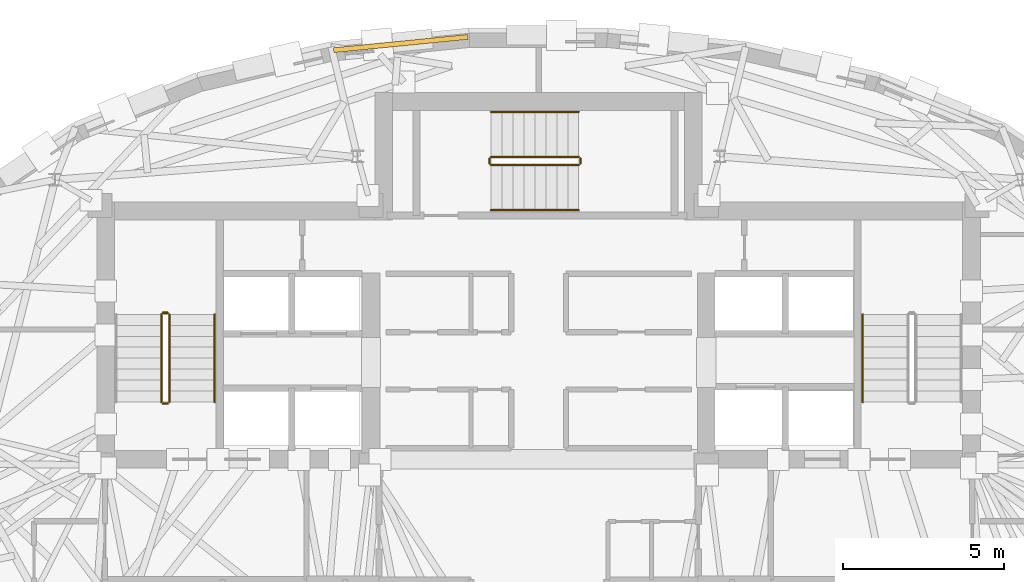
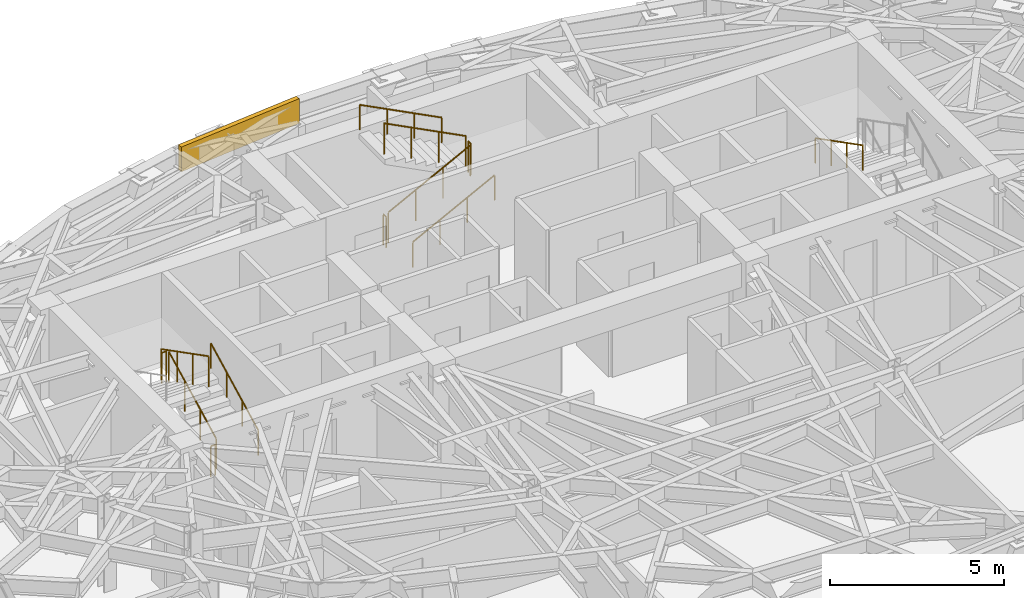
# One storey, part 11 of 12: 12 railings, 1 covering.
"""IFC4 building model written with IfcOpenShell, lengths in metres."""

from ifc_helpers import new_model, si_unit, direction, frame, origin, origin_2d, place, context, subcontext, project, spatial, rectangle, circle, extrude, material, layer, layer_set, type_object, element, save


model = new_model("IFC4")

# Units and contexts
model_context = context("Model", 3, precision=1e-05, world=origin(), true_north=direction((0.0, 1.0)))
body_context = subcontext(model_context, "Body", "Model", "MODEL_VIEW")
ifc_project = project(units=[si_unit("LENGTHUNIT", "METRE"), si_unit("AREAUNIT", "SQUARE_METRE"), si_unit("VOLUMEUNIT", "CUBIC_METRE"), si_unit("PLANEANGLEUNIT", "RADIAN"), si_unit("MASSUNIT", "GRAM", prefix="KILO")], contexts=[model_context])

# Site, building, storey
site_placement = place(None, origin())
site = spatial("IfcSite", under=ifc_project, at=site_placement, CompositionType="ELEMENT")
building_placement = place(site_placement, origin())
building = spatial("IfcBuilding", under=site, at=building_placement, Name="Keldmark Tower", CompositionType="ELEMENT")
storey_placement = place(building_placement, frame((0.0, 0.0, 238.35009765625)))
storey = spatial("IfcBuildingStorey", under=building, at=storey_placement, Name="L67", CompositionType="ELEMENT", Elevation=238.35009765625)

# Covering
ifc_material_1 = material(Name="Honed Kasota Buff Dolomitic Limestone", Category="masonry")
ifc_layer = layer(ifc_material_1, 0.074951171875)
ifc_layer_set = layer_set([ifc_layer], Name="Honed Kasota Buff Dolomitic Limestone")
covering_type = type_object("IfcCoveringType", Name="Kasota Buff Limestone Spandrel Cladding Band", PredefinedType="CLADDING", material=ifc_layer_set)
covering_placement = place(storey_placement, frame((-4.276123046875, 14.467529296875, 2.259765625), z_axis=(0.0, 0.0, 1.0), x_axis=(-0.995131548634, -0.098555572711, 0.0)))
element("IfcCovering", 1, at=covering_placement, inside=storey, type_object=covering_type, Name="L67 Kasota Limestone Spandrel Band 09", PredefinedType="CLADDING", context=body_context, shape_type="SweptSolid", body=[
    extrude(rectangle(XDim=4.17919921875, YDim=0.14990234375, at=origin_2d()), origin(), (0.0, 0.0, 1.0), 0.8701171875),
])

# Railings
ifc_material_2 = material(Name="Painted Steel ASTM A500 Grade B", Category="steel")
railing_type_1 = type_object("IfcRailingType", Name="Painted Steel Stair Well Guard 1100 mm", PredefinedType="GUARDRAIL", material=ifc_material_2)
railing_1_placement = place(storey_placement, frame((-11.449951171875, 3.35009765625, 0.1748046875)))
element("IfcRailing", 2, at=railing_1_placement, inside=storey, type_object=railing_type_1, Name="L67 ST1 stair guard 1", PredefinedType="GUARDRAIL", context=body_context, shape_type="SweptSolid", body=[
    extrude(circle(Radius=0.02392578125, at=origin_2d()), frame((0.0, 0.0, 1.076171875), z_axis=(0.0, 0.889114319608, 0.457685182924), x_axis=(-1.0, 0.0, 0.0)), (0.0, 0.0, 1.0), 3.05908203125),
    extrude(circle(Radius=0.02099609375, at=origin_2d()), origin(), (0.0, 0.0, 1.0), 1.052001953125),
    extrude(circle(Radius=0.02099609375, at=origin_2d()), frame((0.0, 0.90673828125, 0.466796875)), (0.0, 0.0, 1.0), 1.052001953125),
    extrude(circle(Radius=0.02099609375, at=origin_2d()), frame((0.0, 1.813232421875, 0.933349609375)), (0.0, 0.0, 1.0), 1.052001953125),
    extrude(circle(Radius=0.02099609375, at=origin_2d()), frame((0.0, 2.719970703125, 1.400146484375)), (0.0, 0.0, 1.0), 1.052001953125),
])
railing_2_placement = place(storey_placement, frame((-11.5, 6.1201171875, 1.574951171875)))
element("IfcRailing", 3, at=railing_2_placement, inside=storey, type_object=railing_type_1, Name="L67 ST1 stair guard 2", PredefinedType="GUARDRAIL", context=body_context, shape_type="SweptSolid", body=[
    extrude(circle(Radius=0.02392578125, at=origin_2d()), frame((0.0, 0.0, 1.076171875), z_axis=(-1.0, 0.0, 0.0), x_axis=(0.0, -1.0, 0.0)), (0.0, 0.0, 1.0), 0.14990234375),
    extrude(circle(Radius=0.02099609375, at=origin_2d()), origin(), (0.0, 0.0, 1.0), 1.052001953125),
    extrude(circle(Radius=0.02099609375, at=origin_2d()), frame((-0.14990234375, 0.0, 0.0)), (0.0, 0.0, 1.0), 1.052001953125),
])
railing_3_placement = place(storey_placement, frame((-11.699951171875, 6.070068359375, 1.75)))
element("IfcRailing", 4, at=railing_3_placement, inside=storey, type_object=railing_type_1, Name="L67 ST1 stair guard 3", PredefinedType="GUARDRAIL", context=body_context, shape_type="SweptSolid", body=[
    extrude(circle(Radius=0.02392578125, at=origin_2d()), frame((0.0, 0.0, 1.076171875), z_axis=(0.0, -0.889146794209, 0.457622091194), x_axis=(1.0, 0.0, 0.0)), (0.0, 0.0, 1.0), 3.05908203125),
    extrude(circle(Radius=0.02099609375, at=origin_2d()), origin(), (0.0, 0.0, 1.0), 1.052001953125),
    extrude(circle(Radius=0.02099609375, at=origin_2d()), frame((0.0, -0.90673828125, 0.466552734375)), (0.0, 0.0, 1.0), 1.052001953125),
    extrude(circle(Radius=0.02099609375, at=origin_2d()), frame((0.0, -1.813232421875, 0.933349609375)), (0.0, 0.0, 1.0), 1.052001953125),
    extrude(circle(Radius=0.02099609375, at=origin_2d()), frame((0.0, -2.719970703125, 1.39990234375)), (0.0, 0.0, 1.0), 1.052001953125),
])
railing_4_placement = place(storey_placement, frame((-11.5, 3.300048828125, 0.0)))
element("IfcRailing", 5, at=railing_4_placement, inside=storey, type_object=railing_type_1, Name="L67 ST1 stair guard 4", PredefinedType="GUARDRAIL", context=body_context, shape_type="SweptSolid", body=[
    extrude(circle(Radius=0.02392578125, at=origin_2d()), frame((0.0, 0.0, 1.076171875), z_axis=(-1.0, 0.0, 0.0), x_axis=(0.0, -1.0, 0.0)), (0.0, 0.0, 1.0), 0.14990234375),
    extrude(circle(Radius=0.02099609375, at=origin_2d()), origin(), (0.0, 0.0, 1.0), 1.052001953125),
    extrude(circle(Radius=0.02099609375, at=origin_2d()), frame((-0.14990234375, 0.0, 0.0)), (0.0, 0.0, 1.0), 1.052001953125),
])
railing_5_placement = place(storey_placement, frame((-1.47509765625, 10.699951171875, 0.1748046875)))
element("IfcRailing", 6, at=railing_5_placement, inside=storey, type_object=railing_type_1, Name="L67 ST3 stair guard 1", PredefinedType="GUARDRAIL", context=body_context, shape_type="SweptSolid", body=[
    extrude(circle(Radius=0.02392578125, at=origin_2d()), frame((0.0, 0.0, 1.076171875), z_axis=(0.889131035167, 0.0, 0.45765270927), x_axis=(0.0, 1.0, 0.0)), (0.0, 0.0, 1.0), 3.059326171875),
    extrude(circle(Radius=0.02099609375, at=origin_2d()), origin(), (0.0, 0.0, 1.0), 1.052001953125),
    extrude(circle(Radius=0.02099609375, at=origin_2d()), frame((0.90673828125, 0.0, 0.466796875)), (0.0, 0.0, 1.0), 1.052001953125),
    extrude(circle(Radius=0.02099609375, at=origin_2d()), frame((1.8134765625, 0.0, 0.933349609375)), (0.0, 0.0, 1.0), 1.052001953125),
    extrude(circle(Radius=0.02099609375, at=origin_2d()), frame((2.72021484375, 0.0, 1.400146484375)), (0.0, 0.0, 1.0), 1.052001953125),
])
railing_6_placement = place(storey_placement, frame((1.294921875, 10.75, 1.574951171875)))
element("IfcRailing", 7, at=railing_6_placement, inside=storey, type_object=railing_type_1, Name="L67 ST3 stair guard 2", PredefinedType="GUARDRAIL", context=body_context, shape_type="SweptSolid", body=[
    extrude(circle(Radius=0.02392578125, at=origin_2d()), frame((0.0, 0.0, 1.076171875), z_axis=(0.0, 1.0, 0.0), x_axis=(-1.0, 0.0, 0.0)), (0.0, 0.0, 1.0), 0.14990234375),
    extrude(circle(Radius=0.02099609375, at=origin_2d()), origin(), (0.0, 0.0, 1.0), 1.052001953125),
    extrude(circle(Radius=0.02099609375, at=origin_2d()), frame((0.0, 0.14990234375, 0.0)), (0.0, 0.0, 1.0), 1.052001953125),
])
railing_7_placement = place(storey_placement, frame((1.2451171875, 10.949951171875, 1.75)))
element("IfcRailing", 8, at=railing_7_placement, inside=storey, type_object=railing_type_1, Name="L67 ST3 stair guard 3", PredefinedType="GUARDRAIL", context=body_context, shape_type="SweptSolid", body=[
    extrude(circle(Radius=0.02392578125, at=origin_2d()), frame((0.0, 0.0, 1.076171875), z_axis=(-0.88916350577, 0.0, 0.457589619645), x_axis=(0.0, -1.0, 0.0)), (0.0, 0.0, 1.0), 3.059326171875),
    extrude(circle(Radius=0.02099609375, at=origin_2d()), origin(), (0.0, 0.0, 1.0), 1.052001953125),
    extrude(circle(Radius=0.02099609375, at=origin_2d()), frame((-0.90673828125, 0.0, 0.466552734375)), (0.0, 0.0, 1.0), 1.052001953125),
    extrude(circle(Radius=0.02099609375, at=origin_2d()), frame((-1.8134765625, 0.0, 0.933349609375)), (0.0, 0.0, 1.0), 1.052001953125),
    extrude(circle(Radius=0.02099609375, at=origin_2d()), frame((-2.72021484375, 0.0, 1.39990234375)), (0.0, 0.0, 1.0), 1.052001953125),
])
railing_8_placement = place(storey_placement, frame((-1.52490234375, 10.75, 0.0)))
element("IfcRailing", 9, at=railing_8_placement, inside=storey, type_object=railing_type_1, Name="L67 ST3 stair guard 4", PredefinedType="GUARDRAIL", context=body_context, shape_type="SweptSolid", body=[
    extrude(circle(Radius=0.02392578125, at=origin_2d()), frame((0.0, 0.0, 1.076171875), z_axis=(0.0, 1.0, 0.0), x_axis=(-1.0, 0.0, 0.0)), (0.0, 0.0, 1.0), 0.14990234375),
    extrude(circle(Radius=0.02099609375, at=origin_2d()), origin(), (0.0, 0.0, 1.0), 1.052001953125),
    extrude(circle(Radius=0.02099609375, at=origin_2d()), frame((0.0, 0.14990234375, 0.0)), (0.0, 0.0, 1.0), 1.052001953125),
])
ifc_material_3 = material(Name="Stainless Steel AISI 316L", Category="steel")
railing_type_2 = type_object("IfcRailingType", Name="Stainless Steel Stair Handrail 900 mm", PredefinedType="HANDRAIL", material=ifc_material_3)
railing_9_placement = place(storey_placement, frame((-10.050048828125, 3.35009765625, 0.1748046875)))
element("IfcRailing", 10, at=railing_9_placement, inside=storey, type_object=railing_type_2, Name="L67 ST1 stair handrail 1", PredefinedType="HANDRAIL", context=body_context, shape_type="SweptSolid", body=[
    extrude(circle(Radius=0.02392578125, at=origin_2d()), frame((0.0, 0.0, 0.8759765625), z_axis=(0.0, 0.889114319608, 0.457685182924), x_axis=(-1.0, 0.0, 0.0)), (0.0, 0.0, 1.0), 3.05908203125),
    extrude(circle(Radius=0.02099609375, at=origin_2d()), origin(), (0.0, 0.0, 1.0), 0.851806640625),
    extrude(circle(Radius=0.02099609375, at=origin_2d()), frame((0.0, 0.90673828125, 0.466796875)), (0.0, 0.0, 1.0), 0.851806640625),
    extrude(circle(Radius=0.02099609375, at=origin_2d()), frame((0.0, 1.813232421875, 0.933349609375)), (0.0, 0.0, 1.0), 0.851806640625),
    extrude(circle(Radius=0.02099609375, at=origin_2d()), frame((0.0, 2.719970703125, 1.400146484375)), (0.0, 0.0, 1.0), 0.851806640625),
])
railing_10_placement = place(storey_placement, frame((10.050048828125, 6.070068359375, 1.75)))
element("IfcRailing", 11, at=railing_10_placement, inside=storey, type_object=railing_type_2, Name="L67 ST2 stair handrail 2", PredefinedType="HANDRAIL", context=body_context, shape_type="SweptSolid", body=[
    extrude(circle(Radius=0.02392578125, at=origin_2d()), frame((0.0, 0.0, 0.8759765625), z_axis=(0.0, -0.889146794209, 0.457622091194), x_axis=(1.0, 0.0, 0.0)), (0.0, 0.0, 1.0), 3.05908203125),
    extrude(circle(Radius=0.02099609375, at=origin_2d()), origin(), (0.0, 0.0, 1.0), 0.851806640625),
    extrude(circle(Radius=0.02099609375, at=origin_2d()), frame((0.0, -0.90673828125, 0.466552734375)), (0.0, 0.0, 1.0), 0.851806640625),
    extrude(circle(Radius=0.02099609375, at=origin_2d()), frame((0.0, -1.813232421875, 0.933349609375)), (0.0, 0.0, 1.0), 0.851806640625),
    extrude(circle(Radius=0.02099609375, at=origin_2d()), frame((0.0, -2.719970703125, 1.39990234375)), (0.0, 0.0, 1.0), 0.851806640625),
])
railing_11_placement = place(storey_placement, frame((-1.47509765625, 9.300048828125, 0.1748046875)))
element("IfcRailing", 12, at=railing_11_placement, inside=storey, type_object=railing_type_2, Name="L67 ST3 stair handrail 1", PredefinedType="HANDRAIL", context=body_context, shape_type="SweptSolid", body=[
    extrude(circle(Radius=0.02392578125, at=origin_2d()), frame((0.0, 0.0, 0.8759765625), z_axis=(0.889131035167, 0.0, 0.45765270927), x_axis=(0.0, 1.0, 0.0)), (0.0, 0.0, 1.0), 3.059326171875),
    extrude(circle(Radius=0.02099609375, at=origin_2d()), origin(), (0.0, 0.0, 1.0), 0.851806640625),
    extrude(circle(Radius=0.02099609375, at=origin_2d()), frame((0.90673828125, 0.0, 0.466796875)), (0.0, 0.0, 1.0), 0.851806640625),
    extrude(circle(Radius=0.02099609375, at=origin_2d()), frame((1.8134765625, 0.0, 0.933349609375)), (0.0, 0.0, 1.0), 0.851806640625),
    extrude(circle(Radius=0.02099609375, at=origin_2d()), frame((2.72021484375, 0.0, 1.400146484375)), (0.0, 0.0, 1.0), 0.851806640625),
])
railing_12_placement = place(storey_placement, frame((1.2451171875, 12.35009765625, 1.75)))
element("IfcRailing", 13, at=railing_12_placement, inside=storey, type_object=railing_type_2, Name="L67 ST3 stair handrail 2", PredefinedType="HANDRAIL", context=body_context, shape_type="SweptSolid", body=[
    extrude(circle(Radius=0.02392578125, at=origin_2d()), frame((0.0, 0.0, 0.8759765625), z_axis=(-0.88916350577, 0.0, 0.457589619645), x_axis=(0.0, -1.0, 0.0)), (0.0, 0.0, 1.0), 3.059326171875),
    extrude(circle(Radius=0.02099609375, at=origin_2d()), origin(), (0.0, 0.0, 1.0), 0.851806640625),
    extrude(circle(Radius=0.02099609375, at=origin_2d()), frame((-0.90673828125, 0.0, 0.466552734375)), (0.0, 0.0, 1.0), 0.851806640625),
    extrude(circle(Radius=0.02099609375, at=origin_2d()), frame((-1.8134765625, 0.0, 0.933349609375)), (0.0, 0.0, 1.0), 0.851806640625),
    extrude(circle(Radius=0.02099609375, at=origin_2d()), frame((-2.72021484375, 0.0, 1.39990234375)), (0.0, 0.0, 1.0), 0.851806640625),
])

save(model, "model.ifc")
